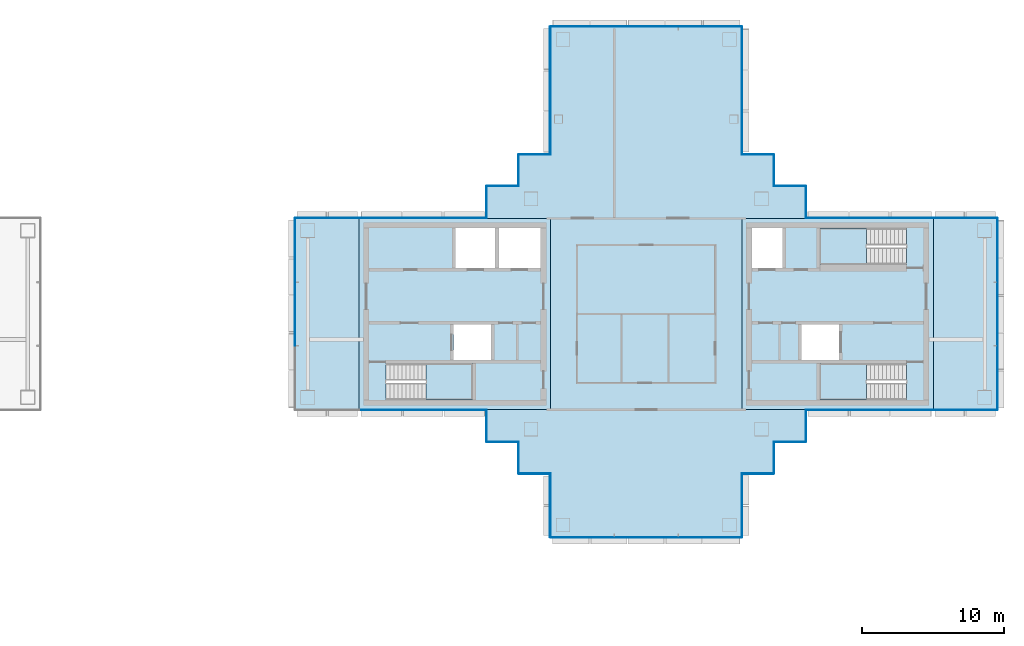
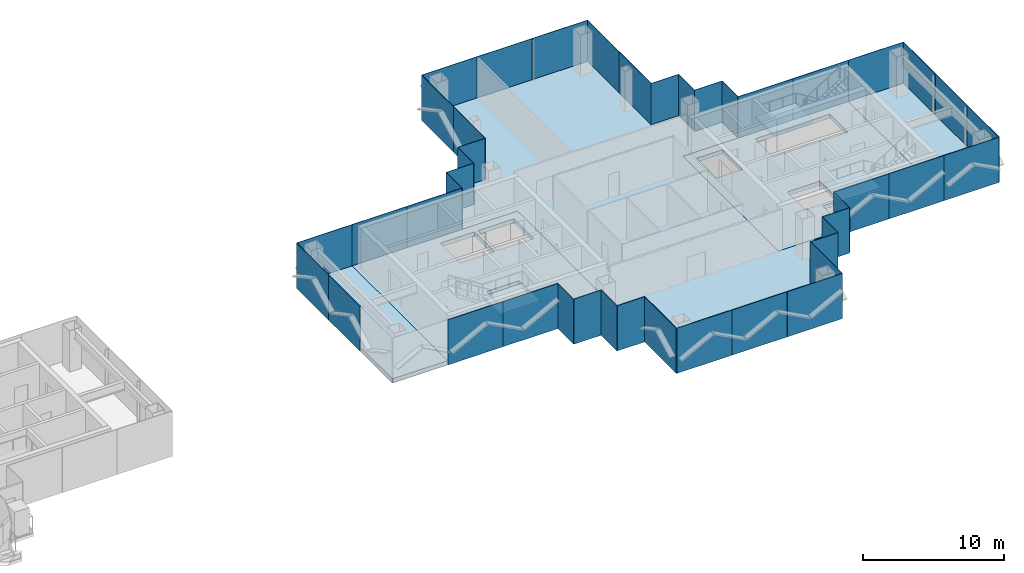
# One storey, part 8 of 17: 44 plates, 8 slabs, 22 elements without a shape of their own.
"""IFC4 building model written with IfcOpenShell, lengths in metres."""

from ifc_helpers import new_model, si_unit, direction, frame, origin, origin_2d, place, context, subcontext, project, spatial, polyline, rectangle, outline, extrude, material, layer, layer_set, type_object, element, aggregate, save


model = new_model("IFC4")

# Units and contexts
model_context = context("Model", 3, precision=1e-05, world=origin(), true_north=direction((0.0, 1.0)))
body_context = subcontext(model_context, "Body", "Model", "MODEL_VIEW")
ifc_project = project(units=[si_unit("LENGTHUNIT", "METRE"), si_unit("AREAUNIT", "SQUARE_METRE"), si_unit("VOLUMEUNIT", "CUBIC_METRE"), si_unit("PLANEANGLEUNIT", "RADIAN"), si_unit("MASSUNIT", "GRAM", prefix="KILO")], contexts=[model_context])

# Site, building, storey
site_placement = place(None, origin())
site = spatial("IfcSite", under=ifc_project, at=site_placement, CompositionType="ELEMENT")
building_placement = place(site_placement, origin())
building = spatial("IfcBuilding", under=site, at=building_placement, Name="Shamsa Quay Exchange Towers", CompositionType="ELEMENT")
storey_placement = place(building_placement, frame((0.0, 0.0, 217.800048828125)))
storey = spatial("IfcBuildingStorey", under=building, at=storey_placement, Name="L52", CompositionType="ELEMENT", Elevation=217.800048828125)

# Slabs
ifc_material_1 = material(Name="Concrete C50/60", Category="concrete")
ifc_layer_1 = layer(ifc_material_1, 0.35009765625)
ifc_layer_set_1 = layer_set([ifc_layer_1], Name="CORE FLOOR 350 C50/60")
slab_type_1 = type_object("IfcSlabType", Name="CORE FLOOR 350 C50/60", PredefinedType="FLOOR", material=ifc_layer_set_1)
slab_1_placement = place(storey_placement, frame((0.0, 0.0, -0.35009765625)))
element("IfcSlab", 1, at=slab_1_placement, inside=storey, type_object=slab_type_1, Name="Core floor T2A", PredefinedType="FLOOR", context=body_context, shape_type="SweptSolid", body=[
    extrude(outline(polyline([(13.5, -6.75), (27.0, -6.75), (27.0, 6.75), (13.5, 6.75), (13.5, -6.75)]), holes=[polyline([(15.400634765625, -6.050048828125), (15.400634765625, -3.5), (21.5, -3.5), (21.5, -6.050048828125), (15.400634765625, -6.050048828125)]), polyline([(20.300048828125, 3.25), (20.300048828125, 6.050048828125), (23.10009765625, 6.050048828125), (23.10009765625, 3.25), (20.300048828125, 3.25)]), polyline([(23.35009765625, 3.25), (23.35009765625, 6.050048828125), (26.300048828125, 6.050048828125), (26.300048828125, 3.25), (23.35009765625, 3.25)]), polyline([(20.14990234375, -3.25), (20.14990234375, -0.75), (22.800048828125, -0.75), (22.800048828125, -3.25), (20.14990234375, -3.25)])]), origin(), (0.0, 0.0, 1.0), 0.35009765625),
])
slab_2_placement = place(storey_placement, frame((0.0, 0.0, -0.35009765625)))
element("IfcSlab", 2, at=slab_2_placement, inside=storey, type_object=slab_type_1, Name="Core floor T2B", PredefinedType="FLOOR", context=body_context, shape_type="SweptSolid", body=[
    extrude(outline(polyline([(54.0, -6.75), (54.0, 6.75), (40.5, 6.75), (40.5, -6.75), (54.0, -6.75)]), holes=[polyline([(52.099365234375, -3.5), (52.099365234375, -6.050048828125), (46.0, -6.050048828125), (46.0, -3.5), (52.099365234375, -3.5)]), polyline([(52.099365234375, 6.050048828125), (52.099365234375, 3.5), (46.0, 3.5), (46.0, 6.050048828125), (52.099365234375, 6.050048828125)]), polyline([(43.35009765625, 3.25), (41.199951171875, 3.25), (41.199951171875, 6.050048828125), (43.35009765625, 6.050048828125), (43.35009765625, 3.25)]), polyline([(47.35009765625, -3.25), (44.699951171875, -3.25), (44.699951171875, -0.75), (47.35009765625, -0.75), (47.35009765625, -3.25)])]), origin(), (0.0, 0.0, 1.0), 0.35009765625),
])

# Stair, slab
ifc_material_2 = material(Name="Concrete C40/50", Category="concrete")
stair_type = type_object("IfcStairType", Name="EXIT STAIR 22 RISERS 177 MM", PredefinedType="HALF_TURN_STAIR", material=ifc_material_2)
stair_1_placement = place(storey_placement, origin())
stair_1 = element("IfcStair", 3, at=stair_1_placement, inside=storey, type_object=stair_type, Name="L52 Exit stair ST4", PredefinedType="HALF_TURN_STAIR")
ifc_layer_2 = layer(ifc_material_2, 0.199951171875)
ifc_layer_set_2 = layer_set([ifc_layer_2], Name="CORE STAIR LANDING")
slab_type_2 = type_object("IfcSlabType", Name="CORE STAIR LANDING", PredefinedType="LANDING", material=ifc_layer_set_2)
slab_3_placement = place(storey_placement, frame((0.0, 0.0, 1.75)))
slab_3 = element("IfcSlab", 4, at=slab_3_placement, type_object=slab_type_2, Name="ST4 landing 1", PredefinedType="LANDING", context=body_context, shape_type="SweptSolid", body=[
    extrude(outline(polyline([(18.199951171875, -6.050048828125), (21.5, -6.050048828125), (21.5, -3.5), (18.199951171875, -3.5), (18.199951171875, -6.050048828125)])), origin(), (0.0, 0.0, 1.0), 0.199951171875),
])
aggregate(stair_1, [slab_3])

stair_2_placement = place(storey_placement, origin())
stair_2 = element("IfcStair", 5, at=stair_2_placement, inside=storey, type_object=stair_type, Name="L52 Exit stair ST5", PredefinedType="HALF_TURN_STAIR")
slab_4_placement = place(storey_placement, frame((0.0, 0.0, 1.75)))
slab_4 = element("IfcSlab", 6, at=slab_4_placement, type_object=slab_type_2, Name="ST5 landing 1", PredefinedType="LANDING", context=body_context, shape_type="SweptSolid", body=[
    extrude(outline(polyline([(49.300048828125, -3.5), (46.0, -3.5), (46.0, -6.050048828125), (49.300048828125, -6.050048828125), (49.300048828125, -3.5)])), origin(), (0.0, 0.0, 1.0), 0.199951171875),
])
aggregate(stair_2, [slab_4])

stair_3_placement = place(storey_placement, origin())
stair_3 = element("IfcStair", 7, at=stair_3_placement, inside=storey, type_object=stair_type, Name="L52 Exit stair ST6", PredefinedType="HALF_TURN_STAIR")
slab_5_placement = place(storey_placement, frame((0.0, 0.0, 1.75)))
slab_5 = element("IfcSlab", 8, at=slab_5_placement, type_object=slab_type_2, Name="ST6 landing 1", PredefinedType="LANDING", context=body_context, shape_type="SweptSolid", body=[
    extrude(outline(polyline([(49.300048828125, 6.050048828125), (46.0, 6.050048828125), (46.0, 3.5), (49.300048828125, 3.5), (49.300048828125, 6.050048828125)])), origin(), (0.0, 0.0, 1.0), 0.199951171875),
])
aggregate(stair_3, [slab_5])

# Curtain wall, plate
ifc_material_3 = material(Name="Aluminium EN AW-6063 T6, black anodised", Category="aluminium")
ifc_layer_3 = layer(ifc_material_3, 0.280029296875)
ifc_layer_set_3 = layer_set([ifc_layer_3], Name="CW-1 UNITISED VISION GLASS")
curtain_wall_type_1 = type_object("IfcCurtainWallType", Name="CW-1 UNITISED VISION GLASS", PredefinedType="NOTDEFINED", material=ifc_layer_set_3)
curtain_wall_1_placement = place(storey_placement, origin())
curtain_wall_1 = element("IfcCurtainWall", 9, at=curtain_wall_1_placement, inside=storey, type_object=curtain_wall_type_1, Name="CW1 T2-FLK-V-W L52", PredefinedType="NOTDEFINED")
ifc_material_4 = material(Name="Glass, laminated, dark tinted", Category="glass")
ifc_layer_4 = layer(ifc_material_4, 0.0400390625)
ifc_layer_set_4 = layer_set([ifc_layer_4], Name="CW-1 VISION GLASS 40")
plate_type_1 = type_object("IfcPlateType", Name="CW-1 VISION GLASS 40", PredefinedType="CURTAIN_PANEL", material=ifc_layer_set_4)
plate_1_placement = place(storey_placement, frame((56.25, -6.77001953125, -0.35009765625)))
plate_1 = element("IfcPlate", 10, at=plate_1_placement, type_object=plate_type_1, Name="CW1 glass panel", PredefinedType="CURTAIN_PANEL", context=body_context, shape_type="SweptSolid", body=[
    extrude(rectangle(XDim=4.5, YDim=0.0400390625, at=origin_2d()), origin(), (0.0, 0.0, 1.0), 3.89990234375),
])
aggregate(curtain_wall_1, [plate_1])

# Curtain wall, plates
curtain_wall_2_placement = place(storey_placement, origin())
curtain_wall_2 = element("IfcCurtainWall", 11, at=curtain_wall_2_placement, inside=storey, type_object=curtain_wall_type_1, Name="CW1 T2-END-V- L52", PredefinedType="NOTDEFINED")
plate_2_placement = place(storey_placement, frame((58.52001953125, -4.50244140625, -0.35009765625), z_axis=(0.0, 0.0, 1.0), x_axis=(0.0, 1.0, 0.0)))
plate_2 = element("IfcPlate", 12, at=plate_2_placement, type_object=plate_type_1, Name="CW1 glass panel", PredefinedType="CURTAIN_PANEL", context=body_context, shape_type="SweptSolid", body=[
    extrude(rectangle(XDim=4.4951171875, YDim=0.0400390625, at=origin_2d()), origin(), (0.0, 0.0, 1.0), 3.89990234375),
])
plate_3_placement = place(storey_placement, frame((58.52001953125, 0.0, -0.35009765625), z_axis=(0.0, 0.0, 1.0), x_axis=(0.0, 1.0, 0.0)))
plate_3 = element("IfcPlate", 13, at=plate_3_placement, type_object=plate_type_1, Name="CW1 glass panel", PredefinedType="CURTAIN_PANEL", context=body_context, shape_type="SweptSolid", body=[
    extrude(rectangle(XDim=4.489990234375, YDim=0.0400390625, at=origin_2d()), origin(), (0.0, 0.0, 1.0), 3.89990234375),
])
plate_4_placement = place(storey_placement, frame((58.52001953125, 4.50244140625, -0.35009765625), z_axis=(0.0, 0.0, 1.0), x_axis=(0.0, 1.0, 0.0)))
plate_4 = element("IfcPlate", 14, at=plate_4_placement, type_object=plate_type_1, Name="CW1 glass panel", PredefinedType="CURTAIN_PANEL", context=body_context, shape_type="SweptSolid", body=[
    extrude(rectangle(XDim=4.4951171875, YDim=0.0400390625, at=origin_2d()), origin(), (0.0, 0.0, 1.0), 3.89990234375),
])
aggregate(curtain_wall_2, [plate_2, plate_3, plate_4])

# Curtain wall, plate
curtain_wall_3_placement = place(storey_placement, origin())
curtain_wall_3 = element("IfcCurtainWall", 15, at=curtain_wall_3_placement, inside=storey, type_object=curtain_wall_type_1, Name="CW1 T2-FLK-V-E L52", PredefinedType="NOTDEFINED")
plate_5_placement = place(storey_placement, frame((56.25, 6.77001953125, -0.35009765625), z_axis=(0.0, 0.0, 1.0), x_axis=(-1.0, 0.0, 0.0)))
plate_5 = element("IfcPlate", 16, at=plate_5_placement, type_object=plate_type_1, Name="CW1 glass panel", PredefinedType="CURTAIN_PANEL", context=body_context, shape_type="SweptSolid", body=[
    extrude(rectangle(XDim=4.5, YDim=0.0400390625, at=origin_2d()), origin(), (0.0, 0.0, 1.0), 3.89990234375),
])
aggregate(curtain_wall_3, [plate_5])

# Curtain wall, plates
curtain_wall_4_placement = place(storey_placement, origin())
curtain_wall_4 = element("IfcCurtainWall", 17, at=curtain_wall_4_placement, inside=storey, type_object=curtain_wall_type_1, Name="CW1 T2-FLK-U+S L52", PredefinedType="NOTDEFINED")
plate_6_placement = place(storey_placement, frame((40.52001953125, 13.52587890625, -0.35009765625), z_axis=(0.0, 0.0, 1.0), x_axis=(0.0, 1.0, 0.0)))
plate_6 = element("IfcPlate", 18, at=plate_6_placement, type_object=plate_type_1, Name="CW1 glass panel", PredefinedType="CURTAIN_PANEL", context=body_context, shape_type="SweptSolid", body=[
    extrude(rectangle(XDim=4.47607421875, YDim=0.0400390625, at=origin_2d()), origin(), (0.0, 0.0, 1.0), 3.89990234375),
])
plate_7_placement = place(storey_placement, frame((40.52001953125, 18.011962890625, -0.35009765625), z_axis=(0.0, 0.0, 1.0), x_axis=(0.0, 1.0, 0.0)))
plate_7 = element("IfcPlate", 19, at=plate_7_placement, type_object=plate_type_1, Name="CW1 glass panel", PredefinedType="CURTAIN_PANEL", context=body_context, shape_type="SweptSolid", body=[
    extrude(rectangle(XDim=4.47607421875, YDim=0.0400390625, at=origin_2d()), origin(), (0.0, 0.0, 1.0), 3.89990234375),
])
aggregate(curtain_wall_4, [plate_6, plate_7])

curtain_wall_5_placement = place(storey_placement, origin())
curtain_wall_5 = element("IfcCurtainWall", 20, at=curtain_wall_5_placement, inside=storey, type_object=curtain_wall_type_1, Name="CW1 T2-END-U+ L52", PredefinedType="NOTDEFINED")
plate_8_placement = place(storey_placement, frame((38.25244140625, 20.27001953125, -0.35009765625), z_axis=(0.0, 0.0, 1.0), x_axis=(-1.0, 0.0, 0.0)))
plate_8 = element("IfcPlate", 21, at=plate_8_placement, type_object=plate_type_1, Name="CW1 glass panel", PredefinedType="CURTAIN_PANEL", context=body_context, shape_type="SweptSolid", body=[
    extrude(rectangle(XDim=4.4951171875, YDim=0.0400390625, at=origin_2d()), origin(), (0.0, 0.0, 1.0), 3.89990234375),
])
plate_9_placement = place(storey_placement, frame((33.75, 20.27001953125, -0.35009765625), z_axis=(0.0, 0.0, 1.0), x_axis=(-1.0, 0.0, 0.0)))
plate_9 = element("IfcPlate", 22, at=plate_9_placement, type_object=plate_type_1, Name="CW1 glass panel", PredefinedType="CURTAIN_PANEL", context=body_context, shape_type="SweptSolid", body=[
    extrude(rectangle(XDim=4.489990234375, YDim=0.0400390625, at=origin_2d()), origin(), (0.0, 0.0, 1.0), 3.89990234375),
])
plate_10_placement = place(storey_placement, frame((29.24755859375, 20.27001953125, -0.35009765625), z_axis=(0.0, 0.0, 1.0), x_axis=(-1.0, 0.0, 0.0)))
plate_10 = element("IfcPlate", 23, at=plate_10_placement, type_object=plate_type_1, Name="CW1 glass panel", PredefinedType="CURTAIN_PANEL", context=body_context, shape_type="SweptSolid", body=[
    extrude(rectangle(XDim=4.4951171875, YDim=0.0400390625, at=origin_2d()), origin(), (0.0, 0.0, 1.0), 3.89990234375),
])
aggregate(curtain_wall_5, [plate_8, plate_9, plate_10])

curtain_wall_6_placement = place(storey_placement, origin())
curtain_wall_6 = element("IfcCurtainWall", 24, at=curtain_wall_6_placement, inside=storey, type_object=curtain_wall_type_1, Name="CW1 T2-FLK-U+N L52", PredefinedType="NOTDEFINED")
plate_11_placement = place(storey_placement, frame((26.97998046875, 18.00244140625, -0.35009765625), z_axis=(0.0, 0.0, 1.0), x_axis=(0.0, -1.0, 0.0)))
plate_11 = element("IfcPlate", 25, at=plate_11_placement, type_object=plate_type_1, Name="CW1 glass panel", PredefinedType="CURTAIN_PANEL", context=body_context, shape_type="SweptSolid", body=[
    extrude(rectangle(XDim=4.4951171875, YDim=0.0400390625, at=origin_2d()), origin(), (0.0, 0.0, 1.0), 3.89990234375),
])
plate_12_placement = place(storey_placement, frame((26.97998046875, 13.49755859375, -0.35009765625), z_axis=(0.0, 0.0, 1.0), x_axis=(0.0, -1.0, 0.0)))
plate_12 = element("IfcPlate", 26, at=plate_12_placement, type_object=plate_type_1, Name="CW1 glass panel", PredefinedType="CURTAIN_PANEL", context=body_context, shape_type="SweptSolid", body=[
    extrude(rectangle(XDim=4.4951171875, YDim=0.0400390625, at=origin_2d()), origin(), (0.0, 0.0, 1.0), 3.89990234375),
])
aggregate(curtain_wall_6, [plate_11, plate_12])

# Curtain wall, plate
curtain_wall_7_placement = place(storey_placement, origin())
curtain_wall_7 = element("IfcCurtainWall", 27, at=curtain_wall_7_placement, inside=storey, type_object=curtain_wall_type_1, Name="CW1 T2-FLK-V+E L52", PredefinedType="NOTDEFINED")
plate_13_placement = place(storey_placement, frame((11.25, 6.77001953125, -0.35009765625), z_axis=(0.0, 0.0, 1.0), x_axis=(-1.0, 0.0, 0.0)))
plate_13 = element("IfcPlate", 28, at=plate_13_placement, type_object=plate_type_1, Name="CW1 glass panel", PredefinedType="CURTAIN_PANEL", context=body_context, shape_type="SweptSolid", body=[
    extrude(rectangle(XDim=4.5, YDim=0.0400390625, at=origin_2d()), origin(), (0.0, 0.0, 1.0), 3.89990234375),
])
aggregate(curtain_wall_7, [plate_13])

# Curtain wall, plates
curtain_wall_8_placement = place(storey_placement, origin())
curtain_wall_8 = element("IfcCurtainWall", 29, at=curtain_wall_8_placement, inside=storey, type_object=curtain_wall_type_1, Name="CW1 T2-END-V+ L52", PredefinedType="NOTDEFINED")
plate_14_placement = place(storey_placement, frame((8.97998046875, 4.50244140625, -0.35009765625), z_axis=(0.0, 0.0, 1.0), x_axis=(0.0, -1.0, 0.0)))
plate_14 = element("IfcPlate", 30, at=plate_14_placement, type_object=plate_type_1, Name="CW1 glass panel", PredefinedType="CURTAIN_PANEL", context=body_context, shape_type="SweptSolid", body=[
    extrude(rectangle(XDim=4.4951171875, YDim=0.0400390625, at=origin_2d()), origin(), (0.0, 0.0, 1.0), 3.89990234375),
])
plate_15_placement = place(storey_placement, frame((8.97998046875, 0.0, -0.35009765625), z_axis=(0.0, 0.0, 1.0), x_axis=(0.0, -1.0, 0.0)))
plate_15 = element("IfcPlate", 31, at=plate_15_placement, type_object=plate_type_1, Name="CW1 glass panel", PredefinedType="CURTAIN_PANEL", context=body_context, shape_type="SweptSolid", body=[
    extrude(rectangle(XDim=4.489990234375, YDim=0.0400390625, at=origin_2d()), origin(), (0.0, 0.0, 1.0), 3.89990234375),
])
aggregate(curtain_wall_8, [plate_14, plate_15])

# Curtain wall, plate
curtain_wall_9_placement = place(storey_placement, origin())
curtain_wall_9 = element("IfcCurtainWall", 32, at=curtain_wall_9_placement, inside=storey, type_object=curtain_wall_type_1, Name="CW1 T2-FLK-U-N L52", PredefinedType="NOTDEFINED")
plate_16_placement = place(storey_placement, frame((26.97998046875, -13.51904296875, -0.35009765625), z_axis=(0.0, 0.0, 1.0), x_axis=(0.0, -1.0, 0.0)))
plate_16 = element("IfcPlate", 33, at=plate_16_placement, type_object=plate_type_1, Name="CW1 glass panel", PredefinedType="CURTAIN_PANEL", context=body_context, shape_type="SweptSolid", body=[
    extrude(rectangle(XDim=4.4619140625, YDim=0.0400390625, at=origin_2d()), origin(), (0.0, 0.0, 1.0), 3.89990234375),
])
aggregate(curtain_wall_9, [plate_16])

# Curtain wall, plates
curtain_wall_10_placement = place(storey_placement, origin())
curtain_wall_10 = element("IfcCurtainWall", 34, at=curtain_wall_10_placement, inside=storey, type_object=curtain_wall_type_1, Name="CW1 T2-END-U- L52", PredefinedType="NOTDEFINED")
plate_17_placement = place(storey_placement, frame((29.24755859375, -15.77001953125, -0.35009765625)))
plate_17 = element("IfcPlate", 35, at=plate_17_placement, type_object=plate_type_1, Name="CW1 glass panel", PredefinedType="CURTAIN_PANEL", context=body_context, shape_type="SweptSolid", body=[
    extrude(rectangle(XDim=4.4951171875, YDim=0.0400390625, at=origin_2d()), origin(), (0.0, 0.0, 1.0), 3.89990234375),
])
plate_18_placement = place(storey_placement, frame((33.75, -15.77001953125, -0.35009765625)))
plate_18 = element("IfcPlate", 36, at=plate_18_placement, type_object=plate_type_1, Name="CW1 glass panel", PredefinedType="CURTAIN_PANEL", context=body_context, shape_type="SweptSolid", body=[
    extrude(rectangle(XDim=4.489990234375, YDim=0.0400390625, at=origin_2d()), origin(), (0.0, 0.0, 1.0), 3.89990234375),
])
plate_19_placement = place(storey_placement, frame((38.25244140625, -15.77001953125, -0.35009765625)))
plate_19 = element("IfcPlate", 37, at=plate_19_placement, type_object=plate_type_1, Name="CW1 glass panel", PredefinedType="CURTAIN_PANEL", context=body_context, shape_type="SweptSolid", body=[
    extrude(rectangle(XDim=4.4951171875, YDim=0.0400390625, at=origin_2d()), origin(), (0.0, 0.0, 1.0), 3.89990234375),
])
aggregate(curtain_wall_10, [plate_17, plate_18, plate_19])

# Curtain wall, plate
curtain_wall_11_placement = place(storey_placement, origin())
curtain_wall_11 = element("IfcCurtainWall", 38, at=curtain_wall_11_placement, inside=storey, type_object=curtain_wall_type_1, Name="CW1 T2-FLK-U-S L52", PredefinedType="NOTDEFINED")
plate_20_placement = place(storey_placement, frame((40.52001953125, -13.5, -0.35009765625), z_axis=(0.0, 0.0, 1.0), x_axis=(0.0, 1.0, 0.0)))
plate_20 = element("IfcPlate", 39, at=plate_20_placement, type_object=plate_type_1, Name="CW1 glass panel", PredefinedType="CURTAIN_PANEL", context=body_context, shape_type="SweptSolid", body=[
    extrude(rectangle(XDim=4.5, YDim=0.0400390625, at=origin_2d()), origin(), (0.0, 0.0, 1.0), 3.89990234375),
])
aggregate(curtain_wall_11, [plate_20])

# Curtain wall, plates
ifc_layer_5 = layer(ifc_material_3, 0.303955078125)
ifc_layer_set_5 = layer_set([ifc_layer_5], Name="CW-2 UNITISED OPAQUE SPANDREL GLASS")
curtain_wall_type_2 = type_object("IfcCurtainWallType", Name="CW-2 UNITISED OPAQUE SPANDREL GLASS", PredefinedType="NOTDEFINED", material=ifc_layer_set_5)
curtain_wall_12_placement = place(storey_placement, origin())
curtain_wall_12 = element("IfcCurtainWall", 40, at=curtain_wall_12_placement, inside=storey, type_object=curtain_wall_type_2, Name="CW2 T2-FLK-V-W L52", PredefinedType="NOTDEFINED")
ifc_material_5 = material(Name="Glass, laminated, black enamelled opaque", Category="glass")
ifc_layer_6 = layer(ifc_material_5, 0.0439453125)
ifc_layer_set_6 = layer_set([ifc_layer_6], Name="CW-2 SPANDREL GLASS 44")
plate_type_2 = type_object("IfcPlateType", Name="CW-2 SPANDREL GLASS 44", PredefinedType="CURTAIN_PANEL", material=ifc_layer_set_6)
plate_21_placement = place(storey_placement, frame((47.27587890625, -6.77197265625, -0.35009765625)))
plate_21 = element("IfcPlate", 41, at=plate_21_placement, type_object=plate_type_2, Name="CW2 glass panel", PredefinedType="CURTAIN_PANEL", context=body_context, shape_type="SweptSolid", body=[
    extrude(rectangle(XDim=4.47607421875, YDim=0.0439453125, at=origin_2d()), origin(), (0.0, 0.0, 1.0), 3.89990234375),
])
plate_22_placement = place(storey_placement, frame((51.761962890625, -6.77197265625, -0.35009765625)))
plate_22 = element("IfcPlate", 42, at=plate_22_placement, type_object=plate_type_2, Name="CW2 glass panel", PredefinedType="CURTAIN_PANEL", context=body_context, shape_type="SweptSolid", body=[
    extrude(rectangle(XDim=4.47607421875, YDim=0.0439453125, at=origin_2d()), origin(), (0.0, 0.0, 1.0), 3.89990234375),
])
aggregate(curtain_wall_12, [plate_21, plate_22])

curtain_wall_13_placement = place(storey_placement, origin())
curtain_wall_13 = element("IfcCurtainWall", 43, at=curtain_wall_13_placement, inside=storey, type_object=curtain_wall_type_2, Name="CW2 T2-FLK-V-E L52", PredefinedType="NOTDEFINED")
plate_23_placement = place(storey_placement, frame((51.75244140625, 6.77197265625, -0.35009765625), z_axis=(0.0, 0.0, 1.0), x_axis=(-1.0, 0.0, 0.0)))
plate_23 = element("IfcPlate", 44, at=plate_23_placement, type_object=plate_type_2, Name="CW2 glass panel", PredefinedType="CURTAIN_PANEL", context=body_context, shape_type="SweptSolid", body=[
    extrude(rectangle(XDim=4.4951171875, YDim=0.0439453125, at=origin_2d()), origin(), (0.0, 0.0, 1.0), 3.89990234375),
])
plate_24_placement = place(storey_placement, frame((47.24755859375, 6.77197265625, -0.35009765625), z_axis=(0.0, 0.0, 1.0), x_axis=(-1.0, 0.0, 0.0)))
plate_24 = element("IfcPlate", 45, at=plate_24_placement, type_object=plate_type_2, Name="CW2 glass panel", PredefinedType="CURTAIN_PANEL", context=body_context, shape_type="SweptSolid", body=[
    extrude(rectangle(XDim=4.4951171875, YDim=0.0439453125, at=origin_2d()), origin(), (0.0, 0.0, 1.0), 3.89990234375),
])
aggregate(curtain_wall_13, [plate_23, plate_24])

curtain_wall_14_placement = place(storey_placement, origin())
curtain_wall_14 = element("IfcCurtainWall", 46, at=curtain_wall_14_placement, inside=storey, type_object=curtain_wall_type_2, Name="CW2 T2-FLK-V+E L52", PredefinedType="NOTDEFINED")
plate_25_placement = place(storey_placement, frame((20.22412109375, 6.77197265625, -0.35009765625), z_axis=(0.0, 0.0, 1.0), x_axis=(-1.0, 0.0, 0.0)))
plate_25 = element("IfcPlate", 47, at=plate_25_placement, type_object=plate_type_2, Name="CW2 glass panel", PredefinedType="CURTAIN_PANEL", context=body_context, shape_type="SweptSolid", body=[
    extrude(rectangle(XDim=4.47607421875, YDim=0.0439453125, at=origin_2d()), origin(), (0.0, 0.0, 1.0), 3.89990234375),
])
plate_26_placement = place(storey_placement, frame((15.738037109375, 6.77197265625, -0.35009765625), z_axis=(0.0, 0.0, 1.0), x_axis=(-1.0, 0.0, 0.0)))
plate_26 = element("IfcPlate", 48, at=plate_26_placement, type_object=plate_type_2, Name="CW2 glass panel", PredefinedType="CURTAIN_PANEL", context=body_context, shape_type="SweptSolid", body=[
    extrude(rectangle(XDim=4.47607421875, YDim=0.0439453125, at=origin_2d()), origin(), (0.0, 0.0, 1.0), 3.89990234375),
])
aggregate(curtain_wall_14, [plate_25, plate_26])

curtain_wall_15_placement = place(storey_placement, origin())
curtain_wall_15 = element("IfcCurtainWall", 49, at=curtain_wall_15_placement, inside=storey, type_object=curtain_wall_type_2, Name="CW2 T2-FLK-V+W L52", PredefinedType="NOTDEFINED")
plate_27_placement = place(storey_placement, frame((15.74755859375, -6.77197265625, -0.35009765625)))
plate_27 = element("IfcPlate", 50, at=plate_27_placement, type_object=plate_type_2, Name="CW2 glass panel", PredefinedType="CURTAIN_PANEL", context=body_context, shape_type="SweptSolid", body=[
    extrude(rectangle(XDim=4.4951171875, YDim=0.0439453125, at=origin_2d()), origin(), (0.0, 0.0, 1.0), 3.89990234375),
])
plate_28_placement = place(storey_placement, frame((20.25244140625, -6.77197265625, -0.35009765625)))
plate_28 = element("IfcPlate", 51, at=plate_28_placement, type_object=plate_type_2, Name="CW2 glass panel", PredefinedType="CURTAIN_PANEL", context=body_context, shape_type="SweptSolid", body=[
    extrude(rectangle(XDim=4.4951171875, YDim=0.0439453125, at=origin_2d()), origin(), (0.0, 0.0, 1.0), 3.89990234375),
])
aggregate(curtain_wall_15, [plate_27, plate_28])

ifc_layer_7 = layer(ifc_material_3, 0.256103515625)
ifc_layer_set_7 = layer_set([ifc_layer_7], Name="CW-4 POCKET SERRATED GLAZING")
curtain_wall_type_3 = type_object("IfcCurtainWallType", Name="CW-4 POCKET SERRATED GLAZING", PredefinedType="NOTDEFINED", material=ifc_layer_set_7)
curtain_wall_16_placement = place(storey_placement, origin())
curtain_wall_16 = element("IfcCurtainWall", 52, at=curtain_wall_16_placement, inside=storey, type_object=curtain_wall_type_3, Name="CW4 PKWS L52", PredefinedType="NOTDEFINED")
ifc_layer_8 = layer(ifc_material_4, 0.035888671875)
ifc_layer_set_8 = layer_set([ifc_layer_8], Name="CW-4 POCKET GLASS 36")
plate_type_3 = type_object("IfcPlateType", Name="CW-4 POCKET GLASS 36", PredefinedType="CURTAIN_PANEL", material=ifc_layer_set_8)
plate_29_placement = place(storey_placement, frame((43.89404296875, -9.01806640625, -0.35009765625)))
plate_29 = element("IfcPlate", 53, at=plate_29_placement, type_object=plate_type_3, Name="CW4 glass panel", PredefinedType="CURTAIN_PANEL", context=body_context, shape_type="SweptSolid", body=[
    extrude(rectangle(XDim=2.2119140625, YDim=0.035888671875, at=origin_2d()), origin(), (0.0, 0.0, 1.0), 3.89990234375),
])
plate_30_placement = place(storey_placement, frame((45.01806640625, -7.875, -0.35009765625), z_axis=(0.0, 0.0, 1.0), x_axis=(0.0, 1.0, 0.0)))
plate_30 = element("IfcPlate", 54, at=plate_30_placement, type_object=plate_type_3, Name="CW4 glass panel", PredefinedType="CURTAIN_PANEL", context=body_context, shape_type="SweptSolid", body=[
    extrude(rectangle(XDim=2.25, YDim=0.035888671875, at=origin_2d()), origin(), (0.0, 0.0, 1.0), 3.89990234375),
])
plate_31_placement = place(storey_placement, frame((41.64599609375, -11.26806640625, -0.35009765625)))
plate_31 = element("IfcPlate", 55, at=plate_31_placement, type_object=plate_type_3, Name="CW4 glass panel", PredefinedType="CURTAIN_PANEL", context=body_context, shape_type="SweptSolid", body=[
    extrude(rectangle(XDim=2.2080078125, YDim=0.035888671875, at=origin_2d()), origin(), (0.0, 0.0, 1.0), 3.89990234375),
])
plate_32_placement = place(storey_placement, frame((42.76806640625, -10.125, -0.35009765625), z_axis=(0.0, 0.0, 1.0), x_axis=(0.0, 1.0, 0.0)))
plate_32 = element("IfcPlate", 56, at=plate_32_placement, type_object=plate_type_3, Name="CW4 glass panel", PredefinedType="CURTAIN_PANEL", context=body_context, shape_type="SweptSolid", body=[
    extrude(rectangle(XDim=2.25, YDim=0.035888671875, at=origin_2d()), origin(), (0.0, 0.0, 1.0), 3.89990234375),
])
aggregate(curtain_wall_16, [plate_29, plate_30, plate_31, plate_32])

curtain_wall_17_placement = place(storey_placement, origin())
curtain_wall_17 = element("IfcCurtainWall", 57, at=curtain_wall_17_placement, inside=storey, type_object=curtain_wall_type_3, Name="CW4 PKES L52", PredefinedType="NOTDEFINED")
plate_33_placement = place(storey_placement, frame((45.01806640625, 7.89794921875, -0.35009765625), z_axis=(0.0, 0.0, 1.0), x_axis=(0.0, 1.0, 0.0)))
plate_33 = element("IfcPlate", 58, at=plate_33_placement, type_object=plate_type_3, Name="CW4 glass panel", PredefinedType="CURTAIN_PANEL", context=body_context, shape_type="SweptSolid", body=[
    extrude(rectangle(XDim=2.2041015625, YDim=0.035888671875, at=origin_2d()), origin(), (0.0, 0.0, 1.0), 3.89990234375),
])
plate_34_placement = place(storey_placement, frame((43.875, 9.01806640625, -0.35009765625), z_axis=(0.0, 0.0, 1.0), x_axis=(-1.0, 0.0, 0.0)))
plate_34 = element("IfcPlate", 59, at=plate_34_placement, type_object=plate_type_3, Name="CW4 glass panel", PredefinedType="CURTAIN_PANEL", context=body_context, shape_type="SweptSolid", body=[
    extrude(rectangle(XDim=2.25, YDim=0.035888671875, at=origin_2d()), origin(), (0.0, 0.0, 1.0), 3.89990234375),
])
plate_35_placement = place(storey_placement, frame((42.76806640625, 10.14404296875, -0.35009765625), z_axis=(0.0, 0.0, 1.0), x_axis=(0.0, 1.0, 0.0)))
plate_35 = element("IfcPlate", 60, at=plate_35_placement, type_object=plate_type_3, Name="CW4 glass panel", PredefinedType="CURTAIN_PANEL", context=body_context, shape_type="SweptSolid", body=[
    extrude(rectangle(XDim=2.2119140625, YDim=0.035888671875, at=origin_2d()), origin(), (0.0, 0.0, 1.0), 3.89990234375),
])
plate_36_placement = place(storey_placement, frame((41.625, 11.26806640625, -0.35009765625), z_axis=(0.0, 0.0, 1.0), x_axis=(-1.0, 0.0, 0.0)))
plate_36 = element("IfcPlate", 61, at=plate_36_placement, type_object=plate_type_3, Name="CW4 glass panel", PredefinedType="CURTAIN_PANEL", context=body_context, shape_type="SweptSolid", body=[
    extrude(rectangle(XDim=2.25, YDim=0.035888671875, at=origin_2d()), origin(), (0.0, 0.0, 1.0), 3.89990234375),
])
aggregate(curtain_wall_17, [plate_33, plate_34, plate_35, plate_36])

curtain_wall_18_placement = place(storey_placement, origin())
curtain_wall_18 = element("IfcCurtainWall", 62, at=curtain_wall_18_placement, inside=storey, type_object=curtain_wall_type_3, Name="CW4 PKEN L52", PredefinedType="NOTDEFINED")
plate_37_placement = place(storey_placement, frame((25.85400390625, 11.26806640625, -0.35009765625), z_axis=(0.0, 0.0, 1.0), x_axis=(-1.0, 0.0, 0.0)))
plate_37 = element("IfcPlate", 63, at=plate_37_placement, type_object=plate_type_3, Name="CW4 glass panel", PredefinedType="CURTAIN_PANEL", context=body_context, shape_type="SweptSolid", body=[
    extrude(rectangle(XDim=2.2080078125, YDim=0.035888671875, at=origin_2d()), origin(), (0.0, 0.0, 1.0), 3.89990234375),
])
plate_38_placement = place(storey_placement, frame((24.73193359375, 10.125, -0.35009765625), z_axis=(0.0, 0.0, 1.0), x_axis=(0.0, -1.0, 0.0)))
plate_38 = element("IfcPlate", 64, at=plate_38_placement, type_object=plate_type_3, Name="CW4 glass panel", PredefinedType="CURTAIN_PANEL", context=body_context, shape_type="SweptSolid", body=[
    extrude(rectangle(XDim=2.25, YDim=0.035888671875, at=origin_2d()), origin(), (0.0, 0.0, 1.0), 3.89990234375),
])
plate_39_placement = place(storey_placement, frame((23.60595703125, 9.01806640625, -0.35009765625), z_axis=(0.0, 0.0, 1.0), x_axis=(-1.0, 0.0, 0.0)))
plate_39 = element("IfcPlate", 65, at=plate_39_placement, type_object=plate_type_3, Name="CW4 glass panel", PredefinedType="CURTAIN_PANEL", context=body_context, shape_type="SweptSolid", body=[
    extrude(rectangle(XDim=2.2119140625, YDim=0.035888671875, at=origin_2d()), origin(), (0.0, 0.0, 1.0), 3.89990234375),
])
plate_40_placement = place(storey_placement, frame((22.48193359375, 7.875, -0.35009765625), z_axis=(0.0, 0.0, 1.0), x_axis=(0.0, -1.0, 0.0)))
plate_40 = element("IfcPlate", 66, at=plate_40_placement, type_object=plate_type_3, Name="CW4 glass panel", PredefinedType="CURTAIN_PANEL", context=body_context, shape_type="SweptSolid", body=[
    extrude(rectangle(XDim=2.25, YDim=0.035888671875, at=origin_2d()), origin(), (0.0, 0.0, 1.0), 3.89990234375),
])
aggregate(curtain_wall_18, [plate_37, plate_38, plate_39, plate_40])

curtain_wall_19_placement = place(storey_placement, origin())
curtain_wall_19 = element("IfcCurtainWall", 67, at=curtain_wall_19_placement, inside=storey, type_object=curtain_wall_type_3, Name="CW4 PKWN L52", PredefinedType="NOTDEFINED")
plate_41_placement = place(storey_placement, frame((22.48193359375, -7.89794921875, -0.35009765625), z_axis=(0.0, 0.0, 1.0), x_axis=(0.0, -1.0, 0.0)))
plate_41 = element("IfcPlate", 68, at=plate_41_placement, type_object=plate_type_3, Name="CW4 glass panel", PredefinedType="CURTAIN_PANEL", context=body_context, shape_type="SweptSolid", body=[
    extrude(rectangle(XDim=2.2041015625, YDim=0.035888671875, at=origin_2d()), origin(), (0.0, 0.0, 1.0), 3.89990234375),
])
plate_42_placement = place(storey_placement, frame((23.625, -9.01806640625, -0.35009765625)))
plate_42 = element("IfcPlate", 69, at=plate_42_placement, type_object=plate_type_3, Name="CW4 glass panel", PredefinedType="CURTAIN_PANEL", context=body_context, shape_type="SweptSolid", body=[
    extrude(rectangle(XDim=2.25, YDim=0.035888671875, at=origin_2d()), origin(), (0.0, 0.0, 1.0), 3.89990234375),
])
plate_43_placement = place(storey_placement, frame((24.73193359375, -10.14404296875, -0.35009765625), z_axis=(0.0, 0.0, 1.0), x_axis=(0.0, -1.0, 0.0)))
plate_43 = element("IfcPlate", 70, at=plate_43_placement, type_object=plate_type_3, Name="CW4 glass panel", PredefinedType="CURTAIN_PANEL", context=body_context, shape_type="SweptSolid", body=[
    extrude(rectangle(XDim=2.2119140625, YDim=0.035888671875, at=origin_2d()), origin(), (0.0, 0.0, 1.0), 3.89990234375),
])
plate_44_placement = place(storey_placement, frame((25.875, -11.26806640625, -0.35009765625)))
plate_44 = element("IfcPlate", 71, at=plate_44_placement, type_object=plate_type_3, Name="CW4 glass panel", PredefinedType="CURTAIN_PANEL", context=body_context, shape_type="SweptSolid", body=[
    extrude(rectangle(XDim=2.25, YDim=0.035888671875, at=origin_2d()), origin(), (0.0, 0.0, 1.0), 3.89990234375),
])
aggregate(curtain_wall_19, [plate_41, plate_42, plate_43, plate_44])

# Slabs
ifc_layer_9 = layer(ifc_material_2, 0.35009765625)
ifc_layer_set_9 = layer_set([ifc_layer_9], Name="Flat slab 350")
slab_type_3 = type_object("IfcSlabType", Name="Flat slab 350", PredefinedType="FLOOR", material=ifc_layer_set_9)
slab_6_placement = place(storey_placement, frame((0.0, 0.0, -0.35009765625)))
element("IfcSlab", 72, at=slab_6_placement, inside=storey, type_object=slab_type_3, Name="Flat slab T2 L52 4", PredefinedType="FLOOR", context=body_context, shape_type="SweptSolid", body=[
    extrude(outline(polyline([(9.0, -6.75), (13.5, -6.75), (13.5, 6.75), (9.0, 6.75), (9.0, -6.75)])), origin(), (0.0, 0.0, 1.0), 0.35009765625),
])
slab_7_placement = place(storey_placement, frame((0.0, 0.0, -0.35009765625)))
element("IfcSlab", 73, at=slab_7_placement, inside=storey, type_object=slab_type_3, Name="Flat slab T2 L52 5", PredefinedType="FLOOR", context=body_context, shape_type="SweptSolid", body=[
    extrude(outline(polyline([(45.0, -9.0), (45.0, -6.75), (40.5, -6.75), (40.5, 6.75), (45.0, 6.75), (45.0, 9.0), (42.75, 9.0), (42.75, 11.25), (40.5, 11.25), (40.5, 20.25), (27.0, 20.25), (27.0, 11.25), (24.75, 11.25), (24.75, 9.0), (22.5, 9.0), (22.5, 6.75), (27.0, 6.75), (27.0, -6.75), (22.5, -6.75), (22.5, -9.0), (24.75, -9.0), (24.75, -11.25), (27.0, -11.25), (27.0, -15.75), (40.5, -15.75), (40.5, -11.25), (42.75, -11.25), (42.75, -9.0), (45.0, -9.0)])), origin(), (0.0, 0.0, 1.0), 0.35009765625),
])
slab_8_placement = place(storey_placement, frame((0.0, 0.0, -0.35009765625)))
element("IfcSlab", 74, at=slab_8_placement, inside=storey, type_object=slab_type_3, Name="Flat slab T2 L52 6", PredefinedType="FLOOR", context=body_context, shape_type="SweptSolid", body=[
    extrude(outline(polyline([(58.5, 6.75), (54.0, 6.75), (54.0, -6.75), (58.5, -6.75), (58.5, 6.75)])), origin(), (0.0, 0.0, 1.0), 0.35009765625),
])

save(model, "model.ifc")
